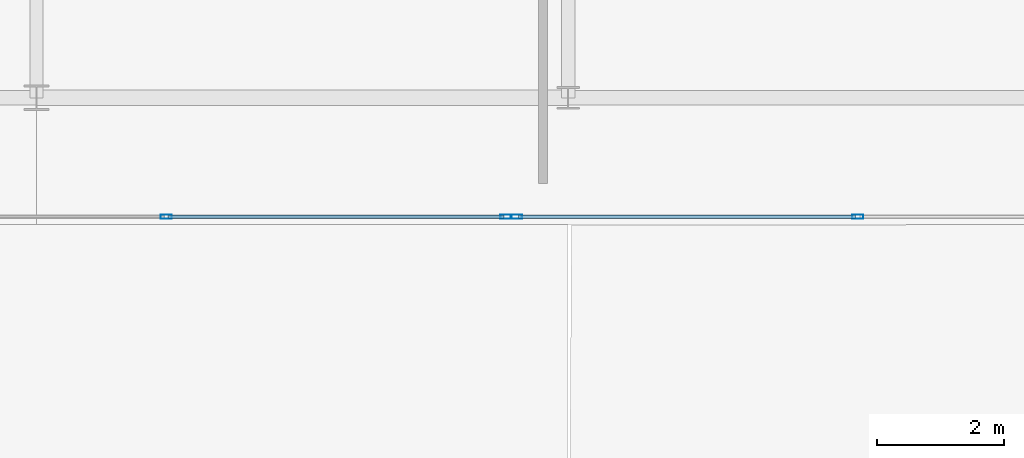
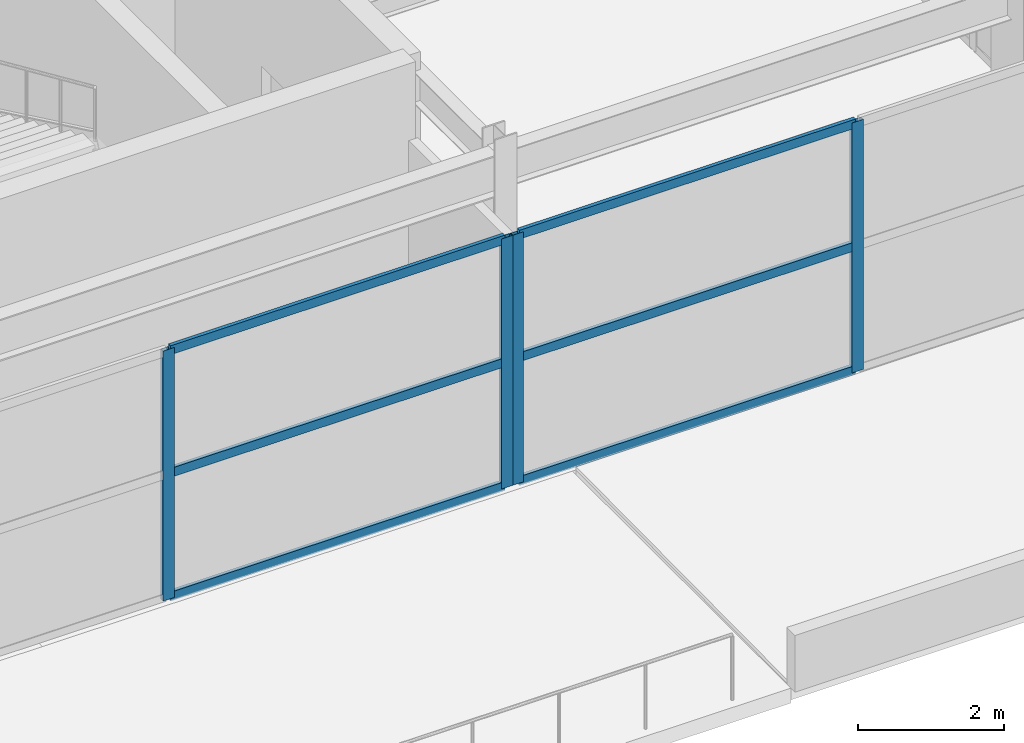
# One storey, part 43 of 107: 10 members, 2 elements without a shape of their own.
"""IFC4 building model written with IfcOpenShell, lengths in metres."""

from ifc_helpers import new_model, si_unit, direction, frame, origin, origin_2d, place, context, subcontext, project, spatial, hollow_rectangle, extrude, material, layer, layer_set, material_profile, profile_set, type_object, element, aggregate, save


model = new_model("IFC4")

# Units and contexts
model_context = context("Model", 3, precision=1e-05, world=origin(), true_north=direction((0.0, 1.0)))
body_context = subcontext(model_context, "Body", "Model", "MODEL_VIEW")
ifc_project = project(units=[si_unit("LENGTHUNIT", "METRE"), si_unit("AREAUNIT", "SQUARE_METRE"), si_unit("VOLUMEUNIT", "CUBIC_METRE"), si_unit("PLANEANGLEUNIT", "RADIAN"), si_unit("MASSUNIT", "GRAM", prefix="KILO")], contexts=[model_context])

# Site, building, storey
site_placement = place(None, origin())
site = spatial("IfcSite", under=ifc_project, at=site_placement, CompositionType="ELEMENT")
building_placement = place(site_placement, origin())
building = spatial("IfcBuilding", under=site, at=building_placement, Name="Kalgoora Escarpment Arena", CompositionType="ELEMENT")
storey_placement = place(building_placement, frame((0.0, 0.0, 5.39990234375)))
storey = spatial("IfcBuildingStorey", under=building, at=storey_placement, Name="L01", CompositionType="ELEMENT", Elevation=5.39990234375)

# Curtain wall, members
ifc_material_1 = material(Name=" Champagne anodised aluminium & double-glazed low-E", Category="aluminium")
ifc_layer_1 = layer(ifc_material_1, 0.157958984375)
ifc_layer_set_1 = layer_set([ifc_layer_1], Name="CW-UNIT-02")
curtain_wall_type_1 = type_object("IfcCurtainWallType", Name="CW-UNIT-02", PredefinedType="NOTDEFINED", material=ifc_layer_set_1)
curtain_wall_1_placement = place(storey_placement, origin())
curtain_wall_1 = element("IfcCurtainWall", 1, at=curtain_wall_1_placement, inside=storey, type_object=curtain_wall_type_1, Name="L01 unitised facade curtain wall 001", PredefinedType="NOTDEFINED")
ifc_material_2 = material(Name="Anodised aluminium 6063-T6", Category="aluminium")
ifc_material_profile_1 = material_profile(ifc_material_2, hollow_rectangle(XDim=0.06494140625, YDim=0.179931640625, WallThickness=0.00390625, at=origin_2d()))
ifc_profile_set_1 = profile_set([ifc_material_profile_1], Name="Anodised aluminium 6063-T6")
member_type_1 = type_object("IfcMemberType", Name="MEM-CW-MULL-180", PredefinedType="MULLION", material=ifc_profile_set_1)
member_1_placement = place(storey_placement, frame((172.574951171875, 6.1201171875, 0.02001953125), z_axis=(0.0, 0.0, 1.0), x_axis=(0.0, -1.0, 0.0)))
member_1 = element("IfcMember", 2, at=member_1_placement, type_object=member_type_1, Name="CW-02 mullion 2", PredefinedType="MULLION", context=body_context, shape_type="SweptSolid", body=[
    extrude(hollow_rectangle(XDim=0.06494140625, YDim=0.179931640625, WallThickness=0.00390625, at=origin_2d()), origin(), (0.0, 0.0, 1.0), 4.190185546875),
])
member_2_placement = place(storey_placement, frame((167.1826171875, 6.1201171875, 0.02001953125), z_axis=(0.0, 0.0, 1.0), x_axis=(0.0, -1.0, 0.0)))
member_2 = element("IfcMember", 3, at=member_2_placement, type_object=member_type_1, Name="CW-02 mullion 3", PredefinedType="MULLION", context=body_context, shape_type="SweptSolid", body=[
    extrude(hollow_rectangle(XDim=0.06494140625, YDim=0.179931640625, WallThickness=0.00390625, at=origin_2d()), origin(), (0.0, 0.0, 1.0), 4.190185546875),
])

ifc_material_3 = material(Name=" Champagne anodised aluminium & double-glazed low-E", Category="aluminium")
ifc_layer_2 = layer(ifc_material_3, 0.162109375)
ifc_layer_set_2 = layer_set([ifc_layer_2], Name="CW-UNIT-03")
curtain_wall_type_2 = type_object("IfcCurtainWallType", Name="CW-UNIT-03", PredefinedType="NOTDEFINED", material=ifc_layer_set_2)
curtain_wall_2_placement = place(storey_placement, origin())
curtain_wall_2 = element("IfcCurtainWall", 4, at=curtain_wall_2_placement, inside=storey, type_object=curtain_wall_type_2, Name="L01 unitised facade curtain wall 002", PredefinedType="NOTDEFINED")
member_3_placement = place(storey_placement, frame((167.017578125, 6.1201171875, 0.02001953125), z_axis=(0.0, 0.0, 1.0), x_axis=(0.0, -1.0, 0.0)))
member_3 = element("IfcMember", 5, at=member_3_placement, type_object=member_type_1, Name="CW-03 mullion 1", PredefinedType="MULLION", context=body_context, shape_type="SweptSolid", body=[
    extrude(hollow_rectangle(XDim=0.06494140625, YDim=0.179931640625, WallThickness=0.00390625, at=origin_2d()), origin(), (0.0, 0.0, 1.0), 4.190185546875),
])
member_4_placement = place(storey_placement, frame((161.64990234375, 6.1201171875, 0.02001953125), z_axis=(0.0, 0.0, 1.0), x_axis=(0.0, -1.0, 0.0)))
member_4 = element("IfcMember", 6, at=member_4_placement, type_object=member_type_1, Name="CW-03 mullion 2", PredefinedType="MULLION", context=body_context, shape_type="SweptSolid", body=[
    extrude(hollow_rectangle(XDim=0.06494140625, YDim=0.179931640625, WallThickness=0.00390625, at=origin_2d()), origin(), (0.0, 0.0, 1.0), 4.190185546875),
])

# Member
ifc_material_4 = material(Name="Anodised aluminium 6063-T6", Category="aluminium")
ifc_material_profile_2 = material_profile(ifc_material_4, hollow_rectangle(XDim=0.06005859375, YDim=0.14990234375, WallThickness=0.00341796875, at=origin_2d()))
ifc_profile_set_2 = profile_set([ifc_material_profile_2], Name="Anodised aluminium 6063-T6")
member_type_2 = type_object("IfcMemberType", Name="MEM-CW-TRAN-150", PredefinedType="USERDEFINED", material=ifc_profile_set_2)
member_5_placement = place(storey_placement, frame((172.54248046875, 6.1201171875, 0.050048828125), z_axis=(-1.0, 0.0, 0.0), x_axis=(0.0, -1.0, 0.0)))
member_5 = element("IfcMember", 7, at=member_5_placement, type_object=member_type_2, Name="CW-02 transom 2.1", ObjectType="TRANSOM", PredefinedType="USERDEFINED", context=body_context, shape_type="SweptSolid", body=[
    extrude(hollow_rectangle(XDim=0.06005859375, YDim=0.14990234375, WallThickness=0.00341796875, at=origin_2d()), origin(), (0.0, 0.0, 1.0), 5.327392578125),
])

member_6_placement = place(storey_placement, frame((172.54248046875, 6.1201171875, 2.125), z_axis=(-1.0, 0.0, 0.0), x_axis=(0.0, -1.0, 0.0)))
member_6 = element("IfcMember", 8, at=member_6_placement, type_object=member_type_2, Name="CW-02 transom 2.2", ObjectType="TRANSOM", PredefinedType="USERDEFINED", context=body_context, shape_type="SweptSolid", body=[
    extrude(hollow_rectangle(XDim=0.06005859375, YDim=0.14990234375, WallThickness=0.00341796875, at=origin_2d()), origin(), (0.0, 0.0, 1.0), 5.327392578125),
])

member_7_placement = place(storey_placement, frame((172.54248046875, 6.1201171875, 4.18017578125), z_axis=(-1.0, 0.0, 0.0), x_axis=(0.0, -1.0, 0.0)))
member_7 = element("IfcMember", 9, at=member_7_placement, type_object=member_type_2, Name="CW-02 transom 2.3", ObjectType="TRANSOM", PredefinedType="USERDEFINED", context=body_context, shape_type="SweptSolid", body=[
    extrude(hollow_rectangle(XDim=0.06005859375, YDim=0.14990234375, WallThickness=0.00341796875, at=origin_2d()), origin(), (0.0, 0.0, 1.0), 5.327392578125),
])

aggregate(curtain_wall_1, [member_1, member_2, member_5, member_6, member_7])

member_8_placement = place(storey_placement, frame((166.985107421875, 6.1201171875, 0.050048828125), z_axis=(-1.0, 0.0, 0.0), x_axis=(0.0, -1.0, 0.0)))
member_8 = element("IfcMember", 10, at=member_8_placement, type_object=member_type_2, Name="CW-03 transom 1.1", ObjectType="TRANSOM", PredefinedType="USERDEFINED", context=body_context, shape_type="SweptSolid", body=[
    extrude(hollow_rectangle(XDim=0.06005859375, YDim=0.14990234375, WallThickness=0.00341796875, at=origin_2d()), origin(), (0.0, 0.0, 1.0), 5.302490234375),
])

member_9_placement = place(storey_placement, frame((166.985107421875, 6.1201171875, 2.125), z_axis=(-1.0, 0.0, 0.0), x_axis=(0.0, -1.0, 0.0)))
member_9 = element("IfcMember", 11, at=member_9_placement, type_object=member_type_2, Name="CW-03 transom 1.2", ObjectType="TRANSOM", PredefinedType="USERDEFINED", context=body_context, shape_type="SweptSolid", body=[
    extrude(hollow_rectangle(XDim=0.06005859375, YDim=0.14990234375, WallThickness=0.00341796875, at=origin_2d()), origin(), (0.0, 0.0, 1.0), 5.302490234375),
])

member_10_placement = place(storey_placement, frame((166.985107421875, 6.1201171875, 4.18017578125), z_axis=(-1.0, 0.0, 0.0), x_axis=(0.0, -1.0, 0.0)))
member_10 = element("IfcMember", 12, at=member_10_placement, type_object=member_type_2, Name="CW-03 transom 1.3", ObjectType="TRANSOM", PredefinedType="USERDEFINED", context=body_context, shape_type="SweptSolid", body=[
    extrude(hollow_rectangle(XDim=0.06005859375, YDim=0.14990234375, WallThickness=0.00341796875, at=origin_2d()), origin(), (0.0, 0.0, 1.0), 5.302490234375),
])

aggregate(curtain_wall_2, [member_3, member_4, member_8, member_9, member_10])

save(model, "model.ifc")
